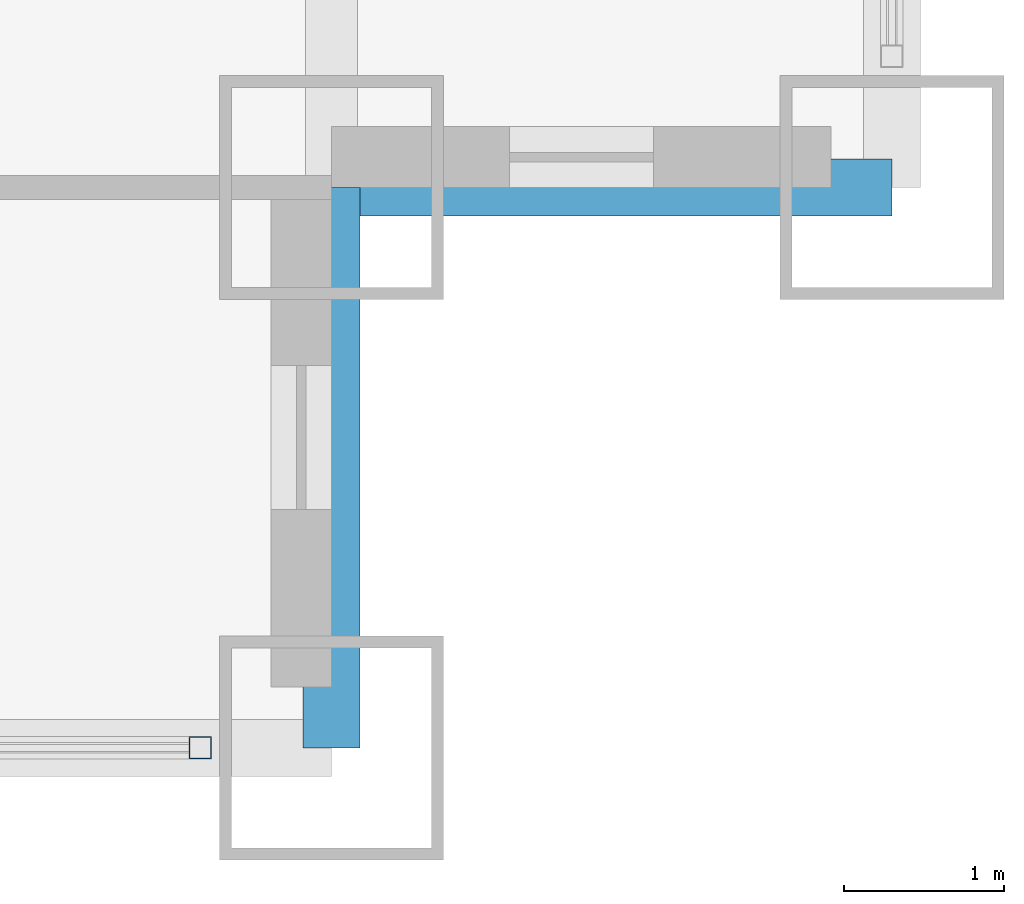
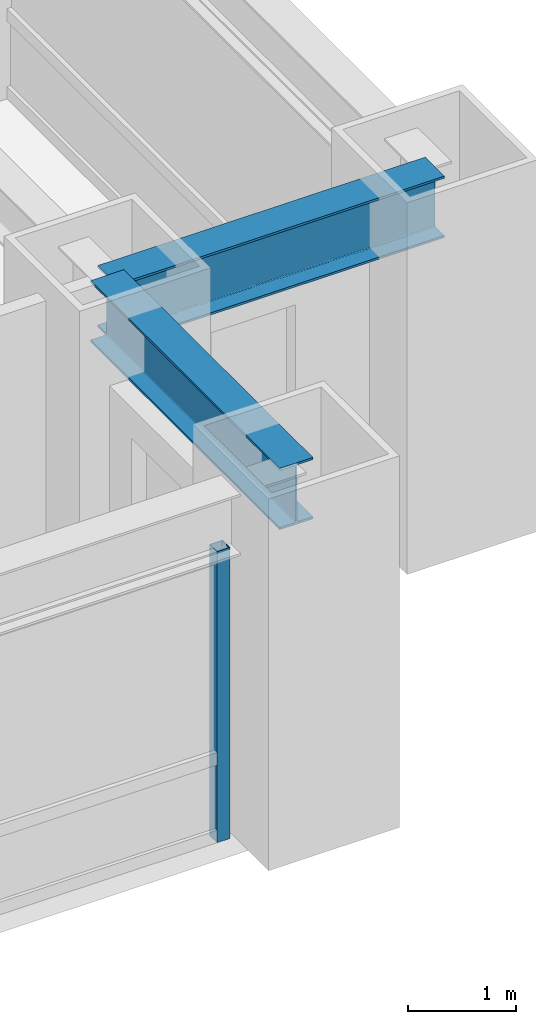
# One storey, part 10 of 27: 2 beams, 1 member, 1 element without a shape of its own.
"""IFC4 building model written with IfcOpenShell, lengths in metres."""

from ifc_helpers import new_model, si_unit, direction, frame, origin, origin_2d, place, context, subcontext, project, spatial, hollow_rectangle, i_section, extrude, source, transform, mapped, material, material_profile, profile_set, type_object, element, aggregate, save


model = new_model("IFC4")

# Units and contexts
model_context = context("Model", 3, precision=1e-05, world=origin(), true_north=direction((0.0, 1.0)))
body_context = subcontext(model_context, "Body", "Model", "MODEL_VIEW")
ifc_project = project(units=[si_unit("LENGTHUNIT", "METRE"), si_unit("AREAUNIT", "SQUARE_METRE"), si_unit("VOLUMEUNIT", "CUBIC_METRE"), si_unit("PLANEANGLEUNIT", "RADIAN"), si_unit("MASSUNIT", "GRAM", prefix="KILO")], contexts=[model_context])

# Site, building, storey
site_placement = place(None, origin())
site = spatial("IfcSite", under=ifc_project, at=site_placement, CompositionType="ELEMENT")
building_placement = place(site_placement, origin())
building = spatial("IfcBuilding", under=site, at=building_placement, Name="Khorayat Bourse Tower", CompositionType="ELEMENT")
storey_placement = place(building_placement, frame((0.0, 0.0, 45.199951171875)))
storey = spatial("IfcBuildingStorey", under=building, at=storey_placement, Name="L09", CompositionType="ELEMENT", Elevation=45.199951171875)

# Beams
ifc_material_1 = material(Name="Steel ASTM A992 Grade 50", Category="steel")
ifc_material_profile_1 = material_profile(ifc_material_1, i_section(OverallWidth=0.35498046875, OverallDepth=0.695068359375, WebThickness=0.015380859375, FlangeThickness=0.02490234375, FilletRadius=0.01806640625, at=origin_2d()), Name="W690X217")
ifc_profile_set_1 = profile_set([ifc_material_profile_1], Name="Steel ASTM A992 Grade 50")
beam_type = type_object("IfcBeamType", Name="BM-SPAN-690", PredefinedType="SPANDREL", material=ifc_profile_set_1)
shared_shape_1 = source(origin(), body_context, "Body", "SweptSolid", [
    extrude(i_section(OverallWidth=0.35498046875, OverallDepth=0.695068359375, WebThickness=0.015380859375, FlangeThickness=0.02490234375, FilletRadius=0.01806640625, at=origin_2d()), origin(), (0.0, 0.0, 1.0), 3.5),
])
for number, where, z_axis, x_axis, name in (
    (1, (28.5, -32.0, 3.592529296875), (0.0, 1.0, 0.0), (-1.0, 0.0, 0.0), "L09 BM-SPAN-690 BM-L09-SPN-032"),
    (2, (28.5, -28.5, 3.592529296875), (1.0, 0.0, 0.0), (0.0, 1.0, 0.0), "L09 BM-SPAN-690 BM-L09-SPN-033"),
):
    element("IfcBeam", number, at=place(storey_placement, frame(where, z_axis=z_axis, x_axis=x_axis)), inside=storey, type_object=beam_type, Name=name, PredefinedType="SPANDREL", context=body_context, shape_type="MappedRepresentation", body=[
        mapped(shared_shape_1, transform((0.0, 0.0, 0.0), scale=1.0)),
    ])

# Curtain wall, member
ifc_material_2 = material(Name="Aluminium EN AW-6063 T6", Category="aluminium")
curtain_wall_type = type_object("IfcCurtainWallType", Name="CW-SYS-02", PredefinedType="NOTDEFINED", material=ifc_material_2)
curtain_wall_placement = place(storey_placement, origin())
curtain_wall = element("IfcCurtainWall", 3, at=curtain_wall_placement, inside=storey, type_object=curtain_wall_type, Name="L09 Curtain Wall CW-L09-S1", PredefinedType="NOTDEFINED")
ifc_material_profile_2 = material_profile(ifc_material_2, hollow_rectangle(XDim=0.139892578125, YDim=0.139892578125, WallThickness=0.006103515625, at=origin_2d()), Name="ALU 140x140x6")
ifc_profile_set_2 = profile_set([ifc_material_profile_2], Name="Aluminium EN AW-6063 T6")
member_type = type_object("IfcMemberType", Name="CWM-VERT-140", PredefinedType="MULLION", material=ifc_profile_set_2)
shared_shape_2 = source(origin(), body_context, "Body", "SweptSolid", [
    extrude(hollow_rectangle(XDim=0.139892578125, YDim=0.139892578125, WallThickness=0.006103515625, at=origin_2d()), origin(), (0.0, 0.0, 1.0), 3.2900390625),
])
member_placement = place(storey_placement, frame((27.679931640625, -32.0, 0.0), z_axis=(0.0, 0.0, 1.0), x_axis=(0.0, 1.0, 0.0)))
member = element("IfcMember", 4, at=member_placement, type_object=member_type, Name="CW-L09-S1 Vertical Mullion 4", PredefinedType="MULLION", context=body_context, shape_type="MappedRepresentation", body=[
    mapped(shared_shape_2, transform((0.0, 0.0, 0.0), scale=1.0)),
])
aggregate(curtain_wall, [member])

save(model, "model.ifc")
